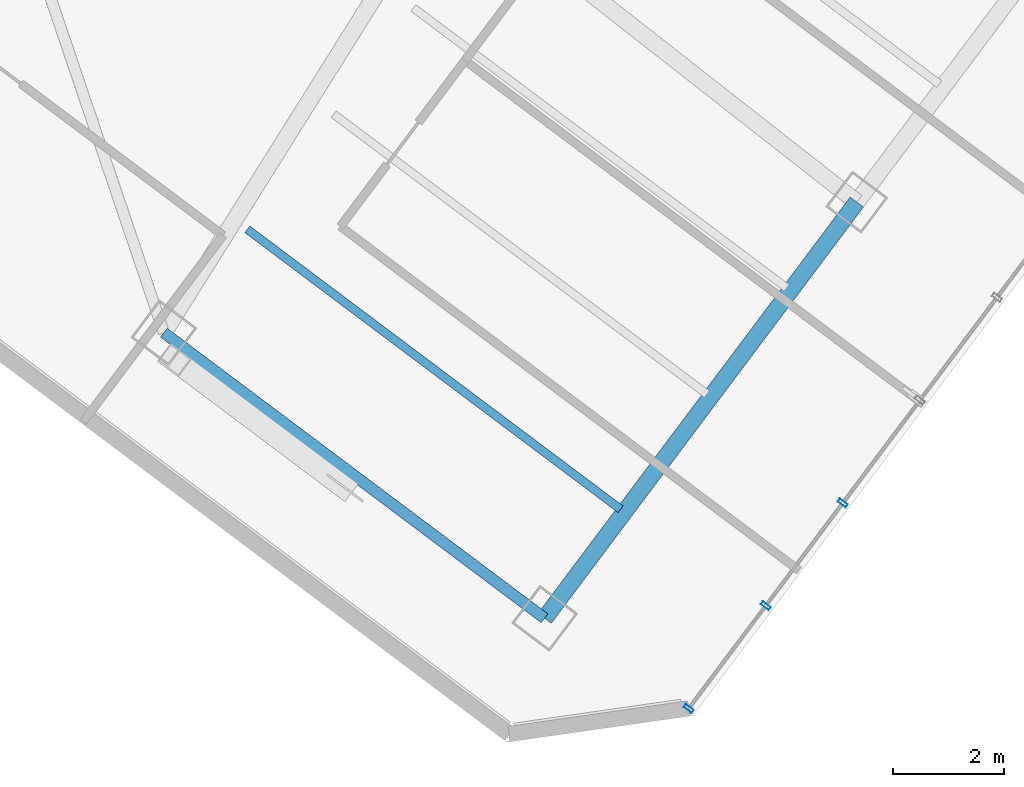
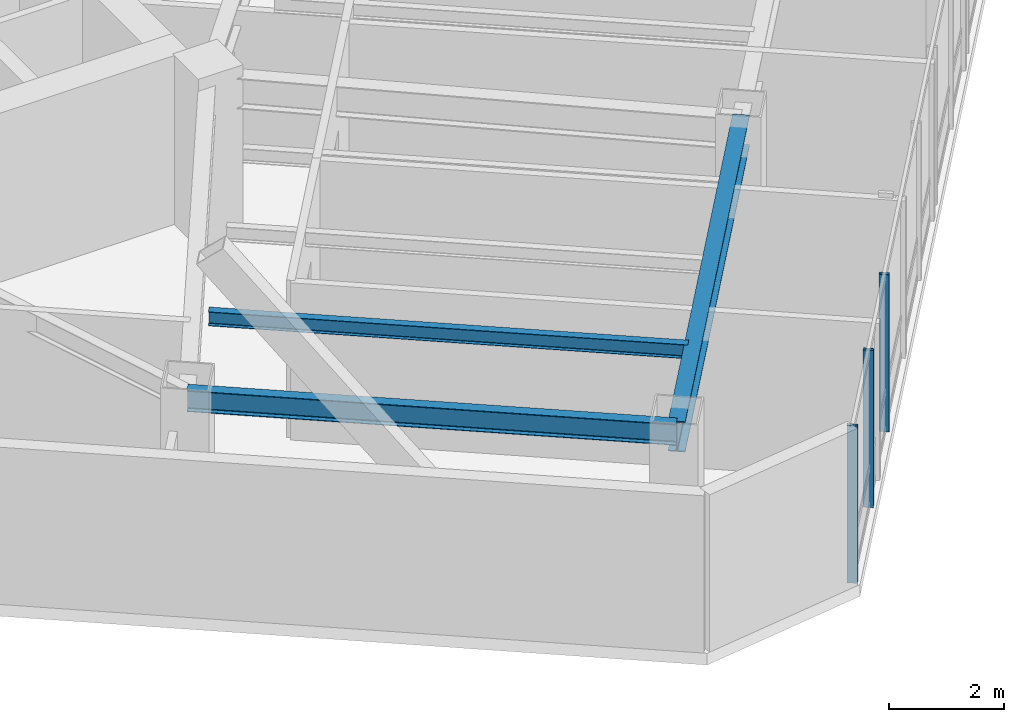
# One storey, part 10 of 29: 3 beams, 3 members, 1 element without a shape of its own.
"""IFC4 building model written with IfcOpenShell, lengths in metres."""

from ifc_helpers import new_model, si_unit, direction, frame, origin, origin_2d, place, context, subcontext, project, spatial, hollow_rectangle, i_section, extrude, material, layer, layer_set, material_profile, profile_set, type_object, element, aggregate, save


model = new_model("IFC4")

# Units and contexts
model_context = context("Model", 3, precision=1e-05, world=origin(), true_north=direction((0.0, 1.0)))
body_context = subcontext(model_context, "Body", "Model", "MODEL_VIEW")
ifc_project = project(units=[si_unit("LENGTHUNIT", "METRE"), si_unit("AREAUNIT", "SQUARE_METRE"), si_unit("VOLUMEUNIT", "CUBIC_METRE"), si_unit("PLANEANGLEUNIT", "RADIAN"), si_unit("MASSUNIT", "GRAM", prefix="KILO")], contexts=[model_context])

# Site, building, storey
site_placement = place(None, origin())
site = spatial("IfcSite", under=ifc_project, at=site_placement, CompositionType="ELEMENT")
building_placement = place(site_placement, origin())
building = spatial("IfcBuilding", under=site, at=building_placement, Name="Hatsunagi Terrace Concourse", CompositionType="ELEMENT")
storey_placement = place(building_placement, frame((0.0, 0.0, 149.25)))
storey = spatial("IfcBuildingStorey", under=building, at=storey_placement, Name="L39", CompositionType="ELEMENT", Elevation=149.25)

# Curtain wall, members
ifc_material_1 = material(Name="Anodised Aluminium Alloy 6063-T5", Category="aluminium")
ifc_layer = layer(ifc_material_1, 0.199951171875)
ifc_layer_set = layer_set([ifc_layer], Name="OfficeZone1_CW03")
curtain_wall_type = type_object("IfcCurtainWallType", Name="OfficeZone1_CW03", PredefinedType="NOTDEFINED", material=ifc_layer_set)
curtain_wall_placement = place(storey_placement, origin())
curtain_wall = element("IfcCurtainWall", 1, at=curtain_wall_placement, inside=storey, type_object=curtain_wall_type, Name="Unitised Curtain Wall CW-03 CW-L39-03", PredefinedType="NOTDEFINED")
ifc_material_2 = material(Name="Anodised Aluminium Alloy 6063-T5", Category="aluminium")
ifc_material_profile_1 = material_profile(ifc_material_2, hollow_rectangle(XDim=0.070068359375, YDim=0.179931640625, WallThickness=0.00390625, at=origin_2d()), Name="ALU-MUL-180x70x4")
ifc_profile_set_1 = profile_set([ifc_material_profile_1], Name="Anodised Aluminium Alloy 6063-T5")
member_type = type_object("IfcMemberType", Name="CurtainWallMullion_180x70", PredefinedType="MULLION", material=ifc_profile_set_1)
member_1_placement = place(storey_placement, frame((50.947021484375, 12.962890625, 0.0), z_axis=(0.0, 0.0, 1.0), x_axis=(-0.599969314634, -0.800023013105, 0.0)))
member_1 = element("IfcMember", 2, at=member_1_placement, type_object=member_type, Name="Curtain Wall Mullion MUL-02", PredefinedType="MULLION", context=body_context, shape_type="SweptSolid", body=[
    extrude(hollow_rectangle(XDim=0.070068359375, YDim=0.179931640625, WallThickness=0.00390625, at=origin_2d()), origin(), (0.0, 0.0, 1.0), 3.35009765625),
])
member_2_placement = place(storey_placement, frame((49.554931640625, 11.10595703125, 0.0), z_axis=(0.0, 0.0, 1.0), x_axis=(-0.599969314634, -0.800023013105, 0.0)))
member_2 = element("IfcMember", 3, at=member_2_placement, type_object=member_type, Name="Curtain Wall Mullion MUL-02", PredefinedType="MULLION", context=body_context, shape_type="SweptSolid", body=[
    extrude(hollow_rectangle(XDim=0.070068359375, YDim=0.179931640625, WallThickness=0.00390625, at=origin_2d()), origin(), (0.0, 0.0, 1.0), 3.35009765625),
])
member_3_placement = place(storey_placement, frame((48.1630859375, 9.25, 0.0), z_axis=(0.0, 0.0, 1.0), x_axis=(-0.599969314634, -0.800023013105, 0.0)))
member_3 = element("IfcMember", 4, at=member_3_placement, type_object=member_type, Name="Curtain Wall Mullion MUL-02", PredefinedType="MULLION", context=body_context, shape_type="SweptSolid", body=[
    extrude(hollow_rectangle(XDim=0.070068359375, YDim=0.179931640625, WallThickness=0.00390625, at=origin_2d()), origin(), (0.0, 0.0, 1.0), 3.35009765625),
])
aggregate(curtain_wall, [member_1, member_2, member_3])

# Beams
ifc_material_3 = material(Name="Steel SN490B", Category="steel")
ifc_material_profile_2 = material_profile(ifc_material_3, i_section(OverallWidth=0.14990234375, OverallDepth=0.300048828125, WebThickness=0.006591796875, FlangeThickness=0.009033203125, FilletRadius=0.010986328125, at=origin_2d()), Name="H-300x150x6.5x9")
ifc_profile_set_2 = profile_set([ifc_material_profile_2], Name="Steel SN490B")
beam_type_1 = type_object("IfcBeamType", Name="OfficeJoist_H_300x150", PredefinedType="JOIST", material=ifc_profile_set_2)
beam_1_placement = place(storey_placement, frame((40.18798828125, 17.908935546875, 3.199951171875), z_axis=(0.800003475366, -0.59999536615, 0.0), x_axis=(0.59999536615, 0.800003475366, 0.0)))
element("IfcBeam", 5, at=beam_1_placement, inside=storey, type_object=beam_type_1, Name="Beam J-03 J-L39-SE-2-46", PredefinedType="JOIST", context=body_context, shape_type="SweptSolid", body=[
    extrude(i_section(OverallWidth=0.14990234375, OverallDepth=0.300048828125, WebThickness=0.006591796875, FlangeThickness=0.009033203125, FilletRadius=0.010986328125, at=origin_2d()), origin(), (0.0, 0.0, 1.0), 8.429931640625),
])
ifc_material_4 = material(Name="Steel SN490B", Category="steel")
ifc_material_profile_3 = material_profile(ifc_material_4, i_section(OverallWidth=0.300048828125, OverallDepth=0.64990234375, WebThickness=0.012939453125, FlangeThickness=0.02197265625, FilletRadius=0.01806640625, at=origin_2d()), Name="H-650x300x13x22")
ifc_profile_set_3 = profile_set([ifc_material_profile_3], Name="Steel SN490B")
beam_type_2 = type_object("IfcBeamType", Name="OfficeLowGirder_H_650x300", PredefinedType="BEAM", material=ifc_profile_set_3)
beam_2_placement = place(storey_placement, frame((45.56005859375, 10.8798828125, 3.02490234375), z_axis=(0.599991688754, 0.800006233367, 0.0), x_axis=(-0.800006233367, 0.599991688754, 0.0)))
element("IfcBeam", 6, at=beam_2_placement, inside=storey, type_object=beam_type_2, Name="Beam G-05 BM-L39-SET-2A", PredefinedType="BEAM", context=body_context, shape_type="SweptSolid", body=[
    extrude(i_section(OverallWidth=0.300048828125, OverallDepth=0.64990234375, WebThickness=0.012939453125, FlangeThickness=0.02197265625, FilletRadius=0.01806640625, at=origin_2d()), origin(), (0.0, 0.0, 1.0), 9.39990234375),
])
ifc_material_5 = material(Name="Steel SN490B", Category="steel")
ifc_material_profile_4 = material_profile(ifc_material_5, i_section(OverallWidth=0.199951171875, OverallDepth=0.449951171875, WebThickness=0.009033203125, FlangeThickness=0.013916015625, FilletRadius=0.01611328125, at=origin_2d()), Name="H-450x200x9x14")
ifc_profile_set_4 = profile_set([ifc_material_profile_4], Name="Steel SN490B")
beam_type_3 = type_object("IfcBeamType", Name="PerimeterSpandrel_H_450x200", PredefinedType="SPANDREL", material=ifc_profile_set_4)
beam_3_placement = place(storey_placement, frame((38.679931640625, 16.0400390625, 3.125), z_axis=(0.799996593451, -0.600004542038, 0.0), x_axis=(0.600004542038, 0.799996593451, 0.0)))
element("IfcBeam", 7, at=beam_3_placement, inside=storey, type_object=beam_type_3, Name="Beam SP-02 BM-L39-SE-SW2", PredefinedType="SPANDREL", context=body_context, shape_type="SweptSolid", body=[
    extrude(i_section(OverallWidth=0.199951171875, OverallDepth=0.449951171875, WebThickness=0.009033203125, FlangeThickness=0.013916015625, FilletRadius=0.01611328125, at=origin_2d()), origin(), (0.0, 0.0, 1.0), 8.60009765625),
])

save(model, "model.ifc")
